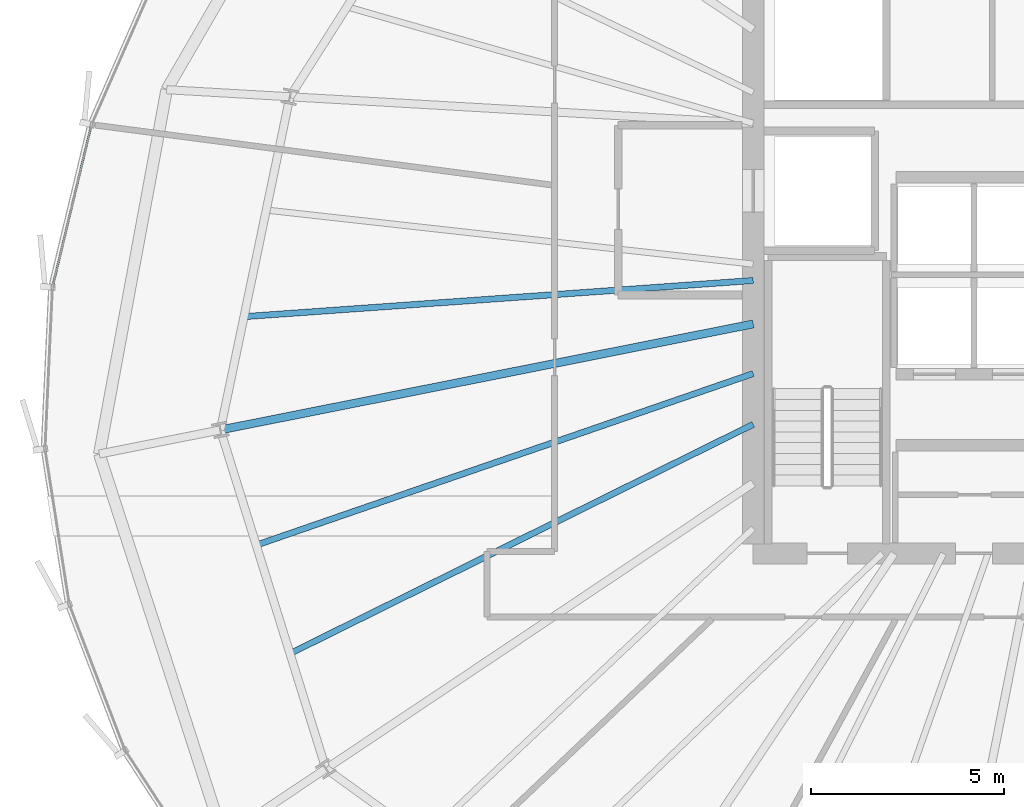
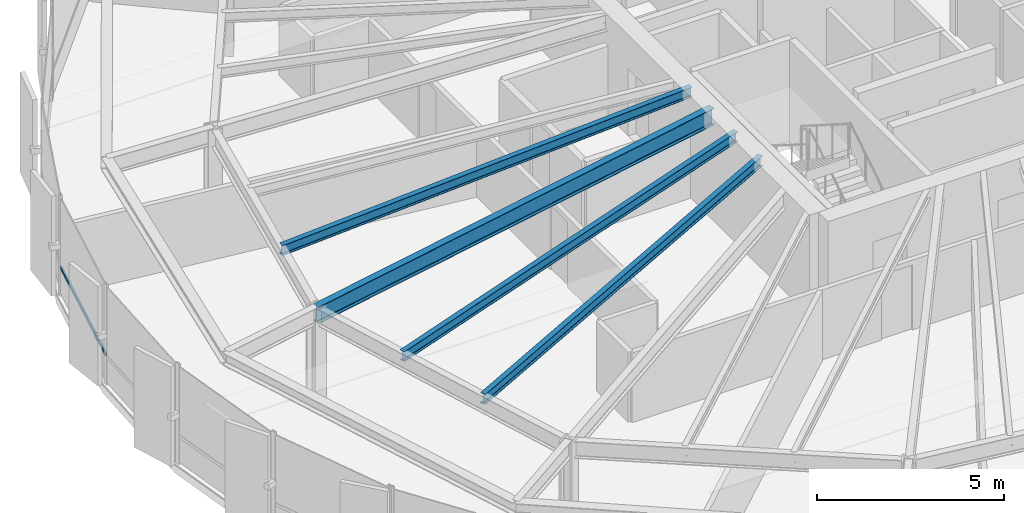
# One storey, part 9 of 36: 4 beams, 1 member, 1 element without a shape of its own.
"""IFC4 building model written with IfcOpenShell, lengths in metres."""

from ifc_helpers import new_model, si_unit, direction, frame, origin, origin_2d, place, context, subcontext, project, spatial, hollow_rectangle, i_section, extrude, source, transform, mapped, material, layer, layer_set, material_profile, profile_set, type_object, element, aggregate, save


model = new_model("IFC4")

# Units and contexts
model_context = context("Model", 3, precision=1e-05, world=origin(), true_north=direction((0.0, 1.0)))
body_context = subcontext(model_context, "Body", "Model", "MODEL_VIEW")
ifc_project = project(units=[si_unit("LENGTHUNIT", "METRE"), si_unit("AREAUNIT", "SQUARE_METRE"), si_unit("VOLUMEUNIT", "CUBIC_METRE"), si_unit("PLANEANGLEUNIT", "RADIAN"), si_unit("MASSUNIT", "GRAM", prefix="KILO"), si_unit("THERMODYNAMICTEMPERATUREUNIT", "KELVIN")], contexts=[model_context])

# Site, building, storey
site_placement = place(None, origin())
site = spatial("IfcSite", under=ifc_project, at=site_placement, CompositionType="ELEMENT")
building_placement = place(site_placement, origin())
building = spatial("IfcBuilding", under=site, at=building_placement, Name="Kethvar Cultural Tower", CompositionType="ELEMENT")
storey_placement = place(building_placement, frame((0.0, 0.0, 143.0)))
storey = spatial("IfcBuildingStorey", under=building, at=storey_placement, Name="L36", CompositionType="ELEMENT", Elevation=143.0)

# Beams
ifc_material_1 = material(Name="Steel S355J2", Category="steel")
ifc_material_profile_1 = material_profile(ifc_material_1, i_section(OverallWidth=0.2099609375, OverallDepth=0.550048828125, WebThickness=0.010986328125, FlangeThickness=0.01708984375, FilletRadius=0.02392578125, at=origin_2d()), Name="Steel S355J2 — IPE550")
ifc_profile_set_1 = profile_set([ifc_material_profile_1], Name="Steel S355J2 — IPE550")
beam_type_1 = type_object("IfcBeamType", Name="BM-IPE550", PredefinedType="BEAM", material=ifc_profile_set_1)
shared_shape_1 = source(origin(), body_context, "Body", "SweptSolid", [
    extrude(i_section(OverallWidth=0.2099609375, OverallDepth=0.550048828125, WebThickness=0.010986328125, FlangeThickness=0.01708984375, FilletRadius=0.02392578125, at=origin_2d()), origin(), (0.0, 0.0, 1.0), 14.085205078125),
])
beam_1_placement = place(storey_placement, frame((38.0, 26.049560546875, 3.02294921875), z_axis=(-0.98078679373, -0.195082713854, 0.0), x_axis=(0.195082713854, -0.98078679373, 0.0)))
element("IfcBeam", 1, at=beam_1_placement, inside=storey, type_object=beam_type_1, Name="L36 Primary Radial Beam RB-09", PredefinedType="BEAM", context=body_context, shape_type="MappedRepresentation", body=[
    mapped(shared_shape_1, transform((0.0, 0.0, 0.0), scale=1.0)),
])
ifc_material_profile_2 = material_profile(ifc_material_1, i_section(OverallWidth=0.159912109375, OverallDepth=0.330078125, WebThickness=0.007568359375, FlangeThickness=0.011474609375, FilletRadius=0.01806640625, at=origin_2d()), Name="Steel S355J2 — IPE330")
ifc_profile_set_2 = profile_set([ifc_material_profile_2], Name="Steel S355J2 — IPE330")
beam_type_2 = type_object("IfcBeamType", Name="BM-J330", PredefinedType="JOIST", material=ifc_profile_set_2)
shared_shape_2 = source(origin(), body_context, "Body", "SweptSolid", [
    extrude(i_section(OverallWidth=0.159912109375, OverallDepth=0.330078125, WebThickness=0.007568359375, FlangeThickness=0.011474609375, FilletRadius=0.01806640625, at=origin_2d()), origin(), (0.0, 0.0, 1.0), 13.234619140625),
])
beam_2_placement = place(storey_placement, frame((38.0, 27.175537109375, 3.133056640625), z_axis=(-0.997490530945, -0.070800004767, 0.0), x_axis=(0.070800004767, -0.997490530945, 0.0)))
element("IfcBeam", 2, at=beam_2_placement, inside=storey, type_object=beam_type_2, Name="L36 Composite Floor Joist J-08B", PredefinedType="JOIST", context=body_context, shape_type="MappedRepresentation", body=[
    mapped(shared_shape_2, transform((0.0, 0.0, 0.0), scale=1.0)),
])
shared_shape_3 = source(origin(), body_context, "Body", "SweptSolid", [
    extrude(i_section(OverallWidth=0.159912109375, OverallDepth=0.330078125, WebThickness=0.007568359375, FlangeThickness=0.011474609375, FilletRadius=0.01806640625, at=origin_2d()), origin(), (0.0, 0.0, 1.0), 13.630615234375),
])
beam_3_placement = place(storey_placement, frame((38.0, 24.762451171875, 3.133056640625), z_axis=(-0.945269577646, -0.326290400682, 0.0), x_axis=(0.326290400682, -0.945269577646, 0.0)))
element("IfcBeam", 3, at=beam_3_placement, inside=storey, type_object=beam_type_2, Name="L36 Composite Floor Joist J-09A", PredefinedType="JOIST", context=body_context, shape_type="MappedRepresentation", body=[
    mapped(shared_shape_3, transform((0.0, 0.0, 0.0), scale=1.0)),
])
shared_shape_4 = source(origin(), body_context, "Body", "SweptSolid", [
    extrude(i_section(OverallWidth=0.159912109375, OverallDepth=0.330078125, WebThickness=0.007568359375, FlangeThickness=0.011474609375, FilletRadius=0.01806640625, at=origin_2d()), origin(), (0.0, 0.0, 1.0), 13.39892578125),
])
beam_4_placement = place(storey_placement, frame((38.0, 23.44580078125, 3.133056640625), z_axis=(-0.896292467417, -0.44346342899, 0.0), x_axis=(0.44346342899, -0.896292467417, 0.0)))
element("IfcBeam", 4, at=beam_4_placement, inside=storey, type_object=beam_type_2, Name="L36 Composite Floor Joist J-09B", PredefinedType="JOIST", context=body_context, shape_type="MappedRepresentation", body=[
    mapped(shared_shape_4, transform((0.0, 0.0, 0.0), scale=1.0)),
])

# Curtain wall, member
ifc_material_2 = material(Name="Aluminium 6063-T6", Category="aluminium")
ifc_layer = layer(ifc_material_2, 0.179931640625, Name="Aluminium 6063-T6", Category="aluminium")
ifc_layer_set = layer_set([ifc_layer], Name="Aluminium 6063-T6 (180 mm)")
curtain_wall_type = type_object("IfcCurtainWallType", Name="CW-SYS-04-Z34", PredefinedType="NOTDEFINED", material=ifc_layer_set)
curtain_wall_placement = place(storey_placement, origin())
curtain_wall = element("IfcCurtainWall", 5, at=curtain_wall_placement, inside=storey, type_object=curtain_wall_type, Name="L36 Curtain Wall Run 03", PredefinedType="NOTDEFINED")
ifc_material_profile_3 = material_profile(ifc_material_2, hollow_rectangle(XDim=0.050048828125, YDim=0.10009765625, WallThickness=0.00390625, at=origin_2d()), Name="Aluminium 6063-T6 — RHS100x50x4")
ifc_profile_set_3 = profile_set([ifc_material_profile_3], Name="Aluminium 6063-T6 — RHS100x50x4")
member_type = type_object("IfcMemberType", Name="CW-SYS-04-Z34-TRN", PredefinedType="USERDEFINED", material=ifc_profile_set_3)
shared_shape_5 = source(origin(), body_context, "Body", "SweptSolid", [
    extrude(hollow_rectangle(XDim=0.050048828125, YDim=0.10009765625, WallThickness=0.00390625, at=origin_2d()), origin(), (0.0, 0.0, 1.0), 4.266357421875),
])
member_placement = place(storey_placement, frame((20.83349609375, 31.17431640625, 0.949951171875), z_axis=(-0.233476838675, -0.972362363423, 0.0), x_axis=(0.972362363423, -0.233476838675, 0.0)))
member = element("IfcMember", 6, at=member_placement, type_object=member_type, Name="CW-L36-R03 Transom 3", ObjectType="TRANSOM", PredefinedType="USERDEFINED", context=body_context, shape_type="MappedRepresentation", body=[
    mapped(shared_shape_5, transform((0.0, 0.0, 0.0), scale=1.0)),
])
aggregate(curtain_wall, [member])

save(model, "model.ifc")
